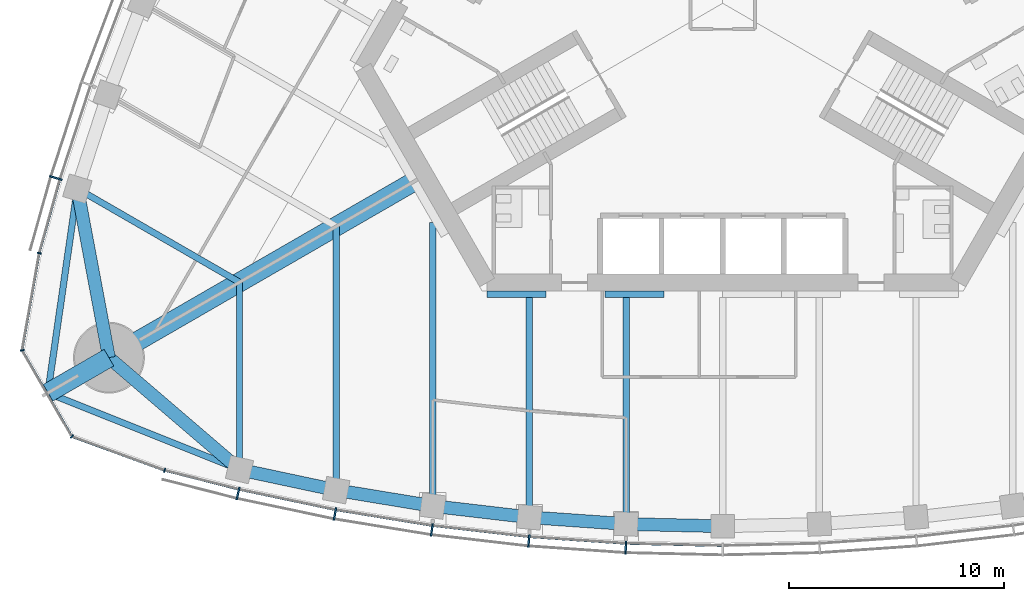
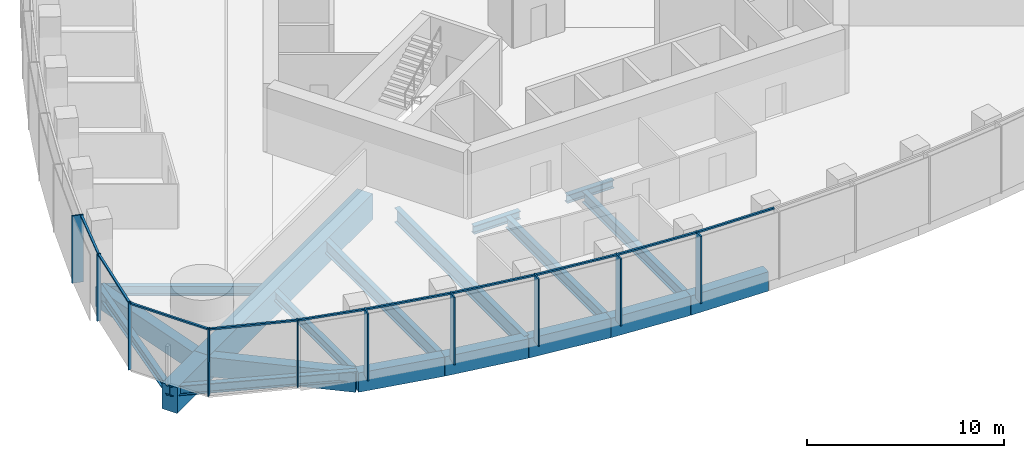
# One storey, part 2 of 19: 20 members, 19 beams, 3 elements without a shape of their own.
"""IFC4 building model written with IfcOpenShell, lengths in metres."""

from ifc_helpers import new_model, si_unit, direction, frame, origin, origin_2d, place, context, subcontext, project, spatial, rectangle, i_section, extrude, material, material_profile, profile_set, type_object, element, aggregate, save


model = new_model("IFC4")

# Units and contexts
model_context = context("Model", 3, precision=1e-05, world=origin(), true_north=direction((0.0, 1.0)))
body_context = subcontext(model_context, "Body", "Model", "MODEL_VIEW")
ifc_project = project(units=[si_unit("LENGTHUNIT", "METRE"), si_unit("AREAUNIT", "SQUARE_METRE"), si_unit("VOLUMEUNIT", "CUBIC_METRE"), si_unit("PLANEANGLEUNIT", "RADIAN"), si_unit("MASSUNIT", "GRAM", prefix="KILO")], contexts=[model_context])

# Site, building, storey
site_placement = place(None, origin())
site = spatial("IfcSite", under=ifc_project, at=site_placement, CompositionType="ELEMENT")
building_placement = place(site_placement, origin())
building = spatial("IfcBuilding", under=site, at=building_placement, Name="Trefoil Bronze Tower", CompositionType="ELEMENT")
storey_placement = place(building_placement, frame((0.0, 0.0, 206.5)))
storey = spatial("IfcBuildingStorey", under=building, at=storey_placement, Name="L47", CompositionType="ELEMENT", Elevation=206.5)

# Curtain wall, members
ifc_material_1 = material(Name="Tinted solar-control glass", Category="glass")
curtain_wall_type_1 = type_object("IfcCurtainWallType", Name="Bronze office curtain wall", PredefinedType="USERDEFINED", material=ifc_material_1)
curtain_wall_1_placement = place(storey_placement, origin())
curtain_wall_1 = element("IfcCurtainWall", 1, at=curtain_wall_1_placement, inside=storey, type_object=curtain_wall_type_1, Name="CW-A L47 F1", ObjectType="CURTAIN WALL", PredefinedType="USERDEFINED")
ifc_material_2 = material(Name="Bronze-finish aluminium", Category="aluminium")
ifc_material_profile_1 = material_profile(ifc_material_2, rectangle(XDim=0.60009765625, YDim=0.080078125, at=origin_2d()), Name="CW-A mullion")
ifc_profile_set_1 = profile_set([ifc_material_profile_1], Name="Bronze-finish aluminium")
member_type_1 = type_object("IfcMemberType", Name="Bronze office curtain wall mullion", PredefinedType="MULLION", material=ifc_profile_set_1)
member_1_placement = place(storey_placement, frame((-22.568115234375, -22.82421875, 0.0), z_axis=(0.0, 0.0, 1.0), x_axis=(0.227082662569, 0.973875487093, 0.0)))
member_1 = element("IfcMember", 2, at=member_1_placement, type_object=member_type_1, Name="CW-A L47 F1 mullion 2", PredefinedType="MULLION", context=body_context, shape_type="SweptSolid", body=[
    extrude(rectangle(XDim=0.60009765625, YDim=0.080078125, at=origin_2d()), origin(), (0.0, 0.0, 1.0), 4.179931640625),
])
member_2_placement = place(storey_placement, frame((-18.05517578125, -23.77783203125, 0.0), z_axis=(0.0, 0.0, 1.0), x_axis=(0.183825368167, 0.982958917767, 0.0)))
member_2 = element("IfcMember", 3, at=member_2_placement, type_object=member_type_1, Name="CW-A L47 F1 mullion 3", PredefinedType="MULLION", context=body_context, shape_type="SweptSolid", body=[
    extrude(rectangle(XDim=0.60009765625, YDim=0.080078125, at=origin_2d()), origin(), (0.0, 0.0, 1.0), 4.179931640625),
])
member_3_placement = place(storey_placement, frame((-13.541259765625, -24.51318359375, 0.0), z_axis=(0.0, 0.0, 1.0), x_axis=(0.137867887204, 0.990450627582, 0.0)))
member_3 = element("IfcMember", 4, at=member_3_placement, type_object=member_type_1, Name="CW-A L47 F1 mullion 4", PredefinedType="MULLION", context=body_context, shape_type="SweptSolid", body=[
    extrude(rectangle(XDim=0.60009765625, YDim=0.080078125, at=origin_2d()), origin(), (0.0, 0.0, 1.0), 4.179931640625),
])
member_4_placement = place(storey_placement, frame((-9.027587890625, -25.03515625, 0.0), z_axis=(0.0, 0.0, 1.0), x_axis=(0.091911396394, 0.995767189263, 0.0)))
member_4 = element("IfcMember", 5, at=member_4_placement, type_object=member_type_1, Name="CW-A L47 F1 mullion 5", PredefinedType="MULLION", context=body_context, shape_type="SweptSolid", body=[
    extrude(rectangle(XDim=0.60009765625, YDim=0.080078125, at=origin_2d()), origin(), (0.0, 0.0, 1.0), 4.179931640625),
])
member_5_placement = place(storey_placement, frame((-4.513671875, -25.346923828125, 0.0), z_axis=(0.0, 0.0, 1.0), x_axis=(0.045955542372, 0.998943485952, 0.0)))
member_5 = element("IfcMember", 6, at=member_5_placement, type_object=member_type_1, Name="CW-A L47 F1 mullion 6", PredefinedType="MULLION", context=body_context, shape_type="SweptSolid", body=[
    extrude(rectangle(XDim=0.60009765625, YDim=0.080078125, at=origin_2d()), origin(), (0.0, 0.0, 1.0), 4.179931640625),
])

# Curtain wall, member
curtain_wall_2_placement = place(storey_placement, origin())
curtain_wall_2 = element("IfcCurtainWall", 7, at=curtain_wall_2_placement, inside=storey, type_object=curtain_wall_type_1, Name="CW-A L47 F3", ObjectType="CURTAIN WALL", PredefinedType="USERDEFINED")
member_6_placement = place(storey_placement, frame((-31.05029296875, -8.132568359375, 0.0), z_axis=(0.0, 0.0, 1.0), x_axis=(0.95694224323, -0.290278389002, 0.0)))
member_6 = element("IfcMember", 8, at=member_6_placement, type_object=member_type_1, Name="CW-A L47 F3 mullion 12", PredefinedType="MULLION", context=body_context, shape_type="SweptSolid", body=[
    extrude(rectangle(XDim=0.60009765625, YDim=0.080078125, at=origin_2d()), origin(), (0.0, 0.0, 1.0), 4.179931640625),
])

# Member
ifc_material_3 = material(Name="Bronze-finish aluminium", Category="aluminium")
ifc_material_profile_2 = material_profile(ifc_material_3, rectangle(XDim=0.1201171875, YDim=0.10009765625, at=origin_2d()), Name="CW-A transom")
ifc_profile_set_2 = profile_set([ifc_material_profile_2], Name="Bronze-finish aluminium")
member_type_2 = type_object("IfcMemberType", Name="Bronze office curtain wall transom", PredefinedType="USERDEFINED", material=ifc_profile_set_2)
member_7_placement = place(storey_placement, frame((-25.93896484375, -21.75732421875, 4.1298828125), z_axis=(0.968935220916, -0.247314653162, 0.0), x_axis=(0.247314653162, 0.968935220916, 0.0)))
member_7 = element("IfcMember", 9, at=member_7_placement, type_object=member_type_2, Name="CW-A L47 F1 transom 1", ObjectType="TRANSOM", PredefinedType="USERDEFINED", context=body_context, shape_type="SweptSolid", body=[
    extrude(rectangle(XDim=0.1201171875, YDim=0.10009765625, at=origin_2d()), origin(), (0.0, 0.0, 1.0), 3.483642578125),
])

member_8_placement = place(storey_placement, frame((-22.4814453125, -22.63818359375, 4.1298828125), z_axis=(0.978395325657, -0.20674280334, 0.0), x_axis=(0.20674280334, 0.978395325657, 0.0)))
member_8 = element("IfcMember", 10, at=member_8_placement, type_object=member_type_2, Name="CW-A L47 F1 transom 2", ObjectType="TRANSOM", PredefinedType="USERDEFINED", context=body_context, shape_type="SweptSolid", body=[
    extrude(rectangle(XDim=0.1201171875, YDim=0.10009765625, at=origin_2d()), origin(), (0.0, 0.0, 1.0), 4.519287109375),
])

member_9_placement = place(storey_placement, frame((-17.9765625, -23.588134765625, 4.1298828125), z_axis=(0.986988367046, -0.160791676761, 0.0), x_axis=(0.160791676761, 0.986988367046, 0.0)))
member_9 = element("IfcMember", 11, at=member_9_placement, type_object=member_type_2, Name="CW-A L47 F1 transom 3", ObjectType="TRANSOM", PredefinedType="USERDEFINED", context=body_context, shape_type="SweptSolid", body=[
    extrude(rectangle(XDim=0.1201171875, YDim=0.10009765625, at=origin_2d()), origin(), (0.0, 0.0, 1.0), 4.479248046875),
])

member_10_placement = place(storey_placement, frame((-13.4716796875, -24.320068359375, 4.1298828125), z_axis=(0.993384885596, -0.114832352013, 0.0), x_axis=(0.114832352013, 0.993384885596, 0.0)))
member_10 = element("IfcMember", 12, at=member_10_placement, type_object=member_type_2, Name="CW-A L47 F1 transom 4", ObjectType="TRANSOM", PredefinedType="USERDEFINED", context=body_context, shape_type="SweptSolid", body=[
    extrude(rectangle(XDim=0.1201171875, YDim=0.10009765625, at=origin_2d()), origin(), (0.0, 0.0, 1.0), 4.449951171875),
])

member_11_placement = place(storey_placement, frame((-8.967041015625, -24.8388671875, 4.1298828125), z_axis=(0.997621320987, -0.06893257512, 0.0), x_axis=(0.06893257512, 0.997621320987, 0.0)))
member_11 = element("IfcMember", 13, at=member_11_placement, type_object=member_type_2, Name="CW-A L47 F1 transom 5", ObjectType="TRANSOM", PredefinedType="USERDEFINED", context=body_context, shape_type="SweptSolid", body=[
    extrude(rectangle(XDim=0.1201171875, YDim=0.10009765625, at=origin_2d()), origin(), (0.0, 0.0, 1.0), 4.4306640625),
])

member_12_placement = place(storey_placement, frame((-4.46240234375, -25.148193359375, 4.1298828125), z_axis=(0.999736131416, -0.022971015226, 0.0), x_axis=(0.022971015226, 0.999736131416, 0.0)))
member_12 = element("IfcMember", 14, at=member_12_placement, type_object=member_type_2, Name="CW-A L47 F1 transom 6", ObjectType="TRANSOM", PredefinedType="USERDEFINED", context=body_context, shape_type="SweptSolid", body=[
    extrude(rectangle(XDim=0.1201171875, YDim=0.10009765625, at=origin_2d()), origin(), (0.0, 0.0, 1.0), 4.42138671875),
])

aggregate(curtain_wall_1, [member_1, member_2, member_3, member_4, member_5, member_7, member_8, member_9, member_10, member_11, member_12])

member_13_placement = place(storey_placement, frame((-30.870361328125, -8.23095703125, 4.1298828125), z_axis=(-0.270284880437, -0.962780392097, 0.0), x_axis=(0.962780392097, -0.270284880437, 0.0)))
member_13 = element("IfcMember", 15, at=member_13_placement, type_object=member_type_2, Name="CW-A L47 F3 transom 12", ObjectType="TRANSOM", PredefinedType="USERDEFINED", context=body_context, shape_type="SweptSolid", body=[
    extrude(rectangle(XDim=0.1201171875, YDim=0.10009765625, at=origin_2d()), origin(), (0.0, 0.0, 1.0), 3.48388671875),
])

aggregate(curtain_wall_2, [member_6, member_13])

# Curtain wall, members
ifc_material_4 = material(Name="Tinted solar-control glass", Category="glass")
curtain_wall_type_2 = type_object("IfcCurtainWallType", Name="Bronze rounded corner curtain wall", PredefinedType="USERDEFINED", material=ifc_material_4)
curtain_wall_3_placement = place(storey_placement, origin())
curtain_wall_3 = element("IfcCurtainWall", 16, at=curtain_wall_3_placement, inside=storey, type_object=curtain_wall_type_2, Name="CW-B L47 K3", ObjectType="CURTAIN WALL", PredefinedType="USERDEFINED")
ifc_material_5 = material(Name="Bronze-finish aluminium", Category="aluminium")
ifc_material_profile_3 = material_profile(ifc_material_5, rectangle(XDim=0.199951171875, YDim=0.06005859375, at=origin_2d()), Name="CW-B mullion")
ifc_profile_set_3 = profile_set([ifc_material_profile_3], Name="Bronze-finish aluminium")
member_type_3 = type_object("IfcMemberType", Name="Bronze rounded corner curtain wall mullion", PredefinedType="MULLION", material=ifc_profile_set_3)
member_14_placement = place(storey_placement, frame((-31.824951171875, -11.63330078125, 0.0), z_axis=(0.0, 0.0, 1.0), x_axis=(0.984807753012, -0.173648177667, 0.0)))
member_14 = element("IfcMember", 17, at=member_14_placement, type_object=member_type_3, Name="CW-B L47 K3 mullion 1", PredefinedType="MULLION", context=body_context, shape_type="SweptSolid", body=[
    extrude(rectangle(XDim=0.199951171875, YDim=0.06005859375, at=origin_2d()), origin(), (0.0, 0.0, 1.0), 4.179931640625),
])
member_15_placement = place(storey_placement, frame((-32.616943359375, -16.158935546875, 0.0), z_axis=(0.0, 0.0, 1.0), x_axis=(0.984807753012, 0.173648177667, 0.0)))
member_15 = element("IfcMember", 18, at=member_15_placement, type_object=member_type_3, Name="CW-B L47 K3 mullion 2", PredefinedType="MULLION", context=body_context, shape_type="SweptSolid", body=[
    extrude(rectangle(XDim=0.199951171875, YDim=0.06005859375, at=origin_2d()), origin(), (0.0, 0.0, 1.0), 4.179931640625),
])
member_16_placement = place(storey_placement, frame((-30.302490234375, -20.16748046875, 0.0), z_axis=(0.0, 0.0, 1.0), x_axis=(0.642787609687, 0.766044443119, 0.0)))
member_16 = element("IfcMember", 19, at=member_16_placement, type_object=member_type_3, Name="CW-B L47 K3 mullion 3", PredefinedType="MULLION", context=body_context, shape_type="SweptSolid", body=[
    extrude(rectangle(XDim=0.199951171875, YDim=0.06005859375, at=origin_2d()), origin(), (0.0, 0.0, 1.0), 4.179931640625),
])
member_17_placement = place(storey_placement, frame((-25.9873046875, -21.74462890625, 0.0), z_axis=(0.0, 0.0, 1.0), x_axis=(0.342020143326, 0.939692620786, 0.0)))
member_17 = element("IfcMember", 20, at=member_17_placement, type_object=member_type_3, Name="CW-B L47 K3 mullion 4", PredefinedType="MULLION", context=body_context, shape_type="SweptSolid", body=[
    extrude(rectangle(XDim=0.199951171875, YDim=0.06005859375, at=origin_2d()), origin(), (0.0, 0.0, 1.0), 4.179931640625),
])
ifc_material_6 = material(Name="Bronze-finish aluminium", Category="aluminium")
ifc_material_profile_4 = material_profile(ifc_material_6, rectangle(XDim=0.1201171875, YDim=0.10009765625, at=origin_2d()), Name="CW-B transom")
ifc_profile_set_4 = profile_set([ifc_material_profile_4], Name="Bronze-finish aluminium")
member_type_4 = type_object("IfcMemberType", Name="Bronze rounded corner curtain wall transom", PredefinedType="USERDEFINED", material=ifc_profile_set_4)
member_18_placement = place(storey_placement, frame((-31.830078125, -11.662841796875, 4.1298828125), z_axis=(-0.173655350028, -0.984806488304, 0.0), x_axis=(0.984806488304, -0.173655350028, 0.0)))
member_18 = element("IfcMember", 21, at=member_18_placement, type_object=member_type_4, Name="CW-B L47 K3 transom 1", ObjectType="TRANSOM", PredefinedType="USERDEFINED", context=body_context, shape_type="SweptSolid", body=[
    extrude(rectangle(XDim=0.1201171875, YDim=0.10009765625, at=origin_2d()), origin(), (0.0, 0.0, 1.0), 4.500244140625),
])
member_19_placement = place(storey_placement, frame((-32.590087890625, -16.217529296875, 4.1298828125), z_axis=(0.500007335828, -0.866021168401, 0.0), x_axis=(0.866021168401, 0.500007335828, 0.0)))
member_19 = element("IfcMember", 22, at=member_19_placement, type_object=member_type_4, Name="CW-B L47 K3 transom 2", ObjectType="TRANSOM", PredefinedType="USERDEFINED", context=body_context, shape_type="SweptSolid", body=[
    extrude(rectangle(XDim=0.1201171875, YDim=0.10009765625, at=origin_2d()), origin(), (0.0, 0.0, 1.0), 4.50048828125),
])
member_20_placement = place(storey_placement, frame((-30.244140625, -20.195068359375, 4.1298828125), z_axis=(0.939680910753, -0.342052314664, 0.0), x_axis=(0.342052314664, 0.939680910753, 0.0)))
member_20 = element("IfcMember", 23, at=member_20_placement, type_object=member_type_4, Name="CW-B L47 K3 transom 3", ObjectType="TRANSOM", PredefinedType="USERDEFINED", context=body_context, shape_type="SweptSolid", body=[
    extrude(rectangle(XDim=0.1201171875, YDim=0.10009765625, at=origin_2d()), origin(), (0.0, 0.0, 1.0), 4.500244140625),
])
aggregate(curtain_wall_3, [member_14, member_15, member_16, member_17, member_18, member_19, member_20])

# Beams
ifc_material_7 = material(Name="Steel C355", Category="steel")
ifc_material_profile_5 = material_profile(ifc_material_7, i_section(OverallWidth=0.300048828125, OverallDepth=0.5, WebThickness=0.014404296875, FlangeThickness=0.028076171875, FilletRadius=0.027099609375, at=origin_2d()), Name="HEB 500")
ifc_profile_set_5 = profile_set([ifc_material_profile_5], Name="Steel C355")
beam_type_1 = type_object("IfcBeamType", Name="Core seat beam HEB 500", PredefinedType="BEAM", material=ifc_profile_set_5)
for number, where, z_axis, x_axis, name in (
    (24, (-10.9697265625, -13.550048828125, -0.449951171875), (1.0, 0.0, 0.0), (0.0, 1.0, 0.0), "Core seat beam F1/-2 L47"),
    (25, (-5.48486328125, -13.550048828125, -0.449951171875), (1.0, 0.0, 0.0), (0.0, 1.0, 0.0), "Core seat beam F1/-1 L47"),
):
    element("IfcBeam", number, at=place(storey_placement, frame(where, z_axis=z_axis, x_axis=x_axis)), inside=storey, type_object=beam_type_1, Name=name, PredefinedType="BEAM", context=body_context, shape_type="SweptSolid", body=[
        extrude(i_section(OverallWidth=0.300048828125, OverallDepth=0.5, WebThickness=0.014404296875, FlangeThickness=0.028076171875, FilletRadius=0.027099609375, at=origin_2d()), origin(), (0.0, 0.0, 1.0), 2.742431640625),
    ])
ifc_material_8 = material(Name="Concrete B80", Category="concrete")
ifc_material_profile_6 = material_profile(ifc_material_8, rectangle(XDim=0.89990234375, YDim=1.60009765625, at=origin_2d()), Name="RC 900x1600")
ifc_profile_set_6 = profile_set([ifc_material_profile_6], Name="Concrete B80")
beam_type_2 = type_object("IfcBeamType", Name="Corner cantilever RC 900x1600", PredefinedType="BEAM", material=ifc_profile_set_6)
beam_1_placement = place(storey_placement, frame((-28.578857421875, -16.5, -1.0), z_axis=(-0.866016004958, -0.500016278891, 0.0), x_axis=(0.500016278891, -0.866016004958, 0.0)))
element("IfcBeam", 26, at=beam_1_placement, inside=storey, type_object=beam_type_2, Name="Corner cantilever K3 L47", PredefinedType="BEAM", context=body_context, shape_type="SweptSolid", body=[
    extrude(rectangle(XDim=0.89990234375, YDim=1.60009765625, at=origin_2d()), origin(), (0.0, 0.0, 1.0), 3.28466796875),
])
ifc_material_9 = material(Name="Steel C355", Category="steel")
ifc_material_profile_7 = material_profile(ifc_material_9, i_section(OverallWidth=0.300048828125, OverallDepth=0.60009765625, WebThickness=0.015380859375, FlangeThickness=0.030029296875, FilletRadius=0.027099609375, at=origin_2d()), Name="HEB 600")
ifc_profile_set_7 = profile_set([ifc_material_profile_7], Name="Steel C355")
beam_type_3 = type_object("IfcBeamType", Name="Corner edge beam HEB 600", PredefinedType="BEAM", material=ifc_profile_set_7)
for number, where, z_axis, x_axis, name in (
    (27, (-22.5, -21.71044921875, -0.5), (-0.92852048463, 0.371281173266, 0.0), (-0.371281173266, -0.92852048463, 0.0), "Corner edge beam F1B L47"),
    (28, (-30.052001953125, -8.63037109375, -0.5), (-0.142694489722, -0.989766781925, 0.0), (0.989766781925, -0.142694489722, 0.0), "Corner edge beam F3A L47"),
):
    element("IfcBeam", number, at=place(storey_placement, frame(where, z_axis=z_axis, x_axis=x_axis)), inside=storey, type_object=beam_type_3, Name=name, PredefinedType="BEAM", context=body_context, shape_type="SweptSolid", body=[
        extrude(i_section(OverallWidth=0.300048828125, OverallDepth=0.60009765625, WebThickness=0.015380859375, FlangeThickness=0.030029296875, FilletRadius=0.027099609375, at=origin_2d()), origin(), (0.0, 0.0, 1.0), 9.6103515625),
    ])
ifc_material_10 = material(Name="Concrete B80", Category="concrete")
ifc_material_profile_8 = material_profile(ifc_material_10, rectangle(XDim=0.89990234375, YDim=1.60009765625, at=origin_2d()), Name="RC 900x1600")
ifc_profile_set_8 = profile_set([ifc_material_profile_8], Name="Concrete B80")
beam_type_4 = type_object("IfcBeamType", Name="Corner girder RC 900x1600", PredefinedType="BEAM", material=ifc_profile_set_8)
beam_2_placement = place(storey_placement, frame((-14.202880859375, -8.199951171875, -1.0), z_axis=(-0.866023450265, -0.500003383579, 0.0), x_axis=(0.500003383579, -0.866023450265, 0.0)))
element("IfcBeam", 29, at=beam_2_placement, inside=storey, type_object=beam_type_4, Name="Corner girder K3 L47", PredefinedType="BEAM", context=body_context, shape_type="SweptSolid", body=[
    extrude(rectangle(XDim=0.89990234375, YDim=1.60009765625, at=origin_2d()), origin(), (0.0, 0.0, 1.0), 16.60009765625),
])
ifc_material_11 = material(Name="Concrete B80", Category="concrete")
ifc_material_profile_9 = material_profile(ifc_material_11, rectangle(XDim=0.60009765625, YDim=1.199951171875, at=origin_2d()), Name="RC 600x1200")
ifc_profile_set_9 = profile_set([ifc_material_profile_9], Name="Concrete B80")
beam_type_5 = type_object("IfcBeamType", Name="End spandrel beam RC 600x1200", PredefinedType="SPANDREL", material=ifc_profile_set_9)
for number, where, z_axis, x_axis, name in (
    (30, (-28.578857421875, -16.5, -0.800048828125), (0.759256602365, -0.650791373456, 0.0), (0.650791373456, 0.759256602365, 0.0), "Spandrel F1.1 L47"),
    (31, (-30.052001953125, -8.63037109375, -0.800048828125), (0.18399763073, -0.982926686933, 0.0), (0.982926686933, 0.18399763073, 0.0), "Spandrel F3.12 L47"),
):
    element("IfcBeam", number, at=place(storey_placement, frame(where, z_axis=z_axis, x_axis=x_axis)), inside=storey, type_object=beam_type_5, Name=name, PredefinedType="SPANDREL", context=body_context, shape_type="SweptSolid", body=[
        extrude(rectangle(XDim=0.60009765625, YDim=1.199951171875, at=origin_2d()), origin(), (0.0, 0.0, 1.0), 8.00634765625),
    ])
ifc_material_12 = material(Name="Steel C355", Category="steel")
ifc_material_profile_10 = material_profile(ifc_material_12, i_section(OverallWidth=0.300048828125, OverallDepth=0.590087890625, WebThickness=0.012939453125, FlangeThickness=0.02490234375, FilletRadius=0.027099609375, at=origin_2d()), Name="HEA 600")
ifc_profile_set_10 = profile_set([ifc_material_profile_10], Name="Steel C355")
beam_type_6 = type_object("IfcBeamType", Name="Floor beam HEA 600", PredefinedType="BEAM", material=ifc_profile_set_10)
beam_3_placement = place(storey_placement, frame((-22.5, -21.71044921875, -0.4951171875), z_axis=(0.0, 1.0, 0.0), x_axis=(-1.0, 0.0, 0.0)))
element("IfcBeam", 32, at=beam_3_placement, inside=storey, type_object=beam_type_6, Name="Floor beam F1/-5 L47", PredefinedType="BEAM", context=body_context, shape_type="SweptSolid", body=[
    extrude(i_section(OverallWidth=0.300048828125, OverallDepth=0.590087890625, WebThickness=0.012939453125, FlangeThickness=0.02490234375, FilletRadius=0.027099609375, at=origin_2d()), origin(), (0.0, 0.0, 1.0), 8.719970703125),
])
beam_4_placement = place(storey_placement, frame((-30.052001953125, -8.63037109375, -0.4951171875), z_axis=(0.866027535932, -0.499996306993, 0.0), x_axis=(0.499996306993, 0.866027535932, 0.0)))
element("IfcBeam", 33, at=beam_4_placement, inside=storey, type_object=beam_type_6, Name="Floor beam F3/+5 L47", PredefinedType="BEAM", context=body_context, shape_type="SweptSolid", body=[
    extrude(i_section(OverallWidth=0.300048828125, OverallDepth=0.590087890625, WebThickness=0.012939453125, FlangeThickness=0.02490234375, FilletRadius=0.027099609375, at=origin_2d()), origin(), (0.0, 0.0, 1.0), 8.72021484375),
])
ifc_material_13 = material(Name="Steel C355", Category="steel")
ifc_material_profile_11 = material_profile(ifc_material_13, i_section(OverallWidth=0.300048828125, OverallDepth=0.699951171875, WebThickness=0.01708984375, FlangeThickness=0.031982421875, FilletRadius=0.027099609375, at=origin_2d()), Name="HEB 700")
ifc_profile_set_11 = profile_set([ifc_material_profile_11], Name="Steel C355")
beam_type_7 = type_object("IfcBeamType", Name="Floor beam HEB 700", PredefinedType="BEAM", material=ifc_profile_set_11)
beam_5_placement = place(storey_placement, frame((-9.0, -23.932861328125, -0.550048828125), z_axis=(0.0, 1.0, 0.0), x_axis=(-1.0, 0.0, 0.0)))
element("IfcBeam", 34, at=beam_5_placement, inside=storey, type_object=beam_type_7, Name="Floor beam F1/-2 L47", PredefinedType="BEAM", context=body_context, shape_type="SweptSolid", body=[
    extrude(i_section(OverallWidth=0.300048828125, OverallDepth=0.699951171875, WebThickness=0.01708984375, FlangeThickness=0.031982421875, FilletRadius=0.027099609375, at=origin_2d()), origin(), (0.0, 0.0, 1.0), 10.23291015625),
])
beam_6_placement = place(storey_placement, frame((-4.5, -24.246337890625, -0.550048828125), z_axis=(0.0, 1.0, 0.0), x_axis=(-1.0, 0.0, 0.0)))
element("IfcBeam", 35, at=beam_6_placement, inside=storey, type_object=beam_type_7, Name="Floor beam F1/-1 L47", PredefinedType="BEAM", context=body_context, shape_type="SweptSolid", body=[
    extrude(i_section(OverallWidth=0.300048828125, OverallDepth=0.699951171875, WebThickness=0.01708984375, FlangeThickness=0.031982421875, FilletRadius=0.027099609375, at=origin_2d()), origin(), (0.0, 0.0, 1.0), 10.54638671875),
])
ifc_material_14 = material(Name="Steel C355", Category="steel")
ifc_material_profile_12 = material_profile(ifc_material_14, i_section(OverallWidth=0.300048828125, OverallDepth=0.800048828125, WebThickness=0.017578125, FlangeThickness=0.032958984375, FilletRadius=0.030029296875, at=origin_2d()), Name="HEB 800")
ifc_profile_set_12 = profile_set([ifc_material_profile_12], Name="Steel C355")
beam_type_8 = type_object("IfcBeamType", Name="Floor beam HEB 800", PredefinedType="BEAM", material=ifc_profile_set_12)
beam_7_placement = place(storey_placement, frame((-18.0, -22.6689453125, -0.60009765625), z_axis=(0.0, 1.0, 0.0), x_axis=(-1.0, 0.0, 0.0)))
element("IfcBeam", 36, at=beam_7_placement, inside=storey, type_object=beam_type_8, Name="Floor beam F1/-4 L47", PredefinedType="BEAM", context=body_context, shape_type="SweptSolid", body=[
    extrude(i_section(OverallWidth=0.300048828125, OverallDepth=0.800048828125, WebThickness=0.017578125, FlangeThickness=0.032958984375, FilletRadius=0.030029296875, at=origin_2d()), origin(), (0.0, 0.0, 1.0), 12.276611328125),
])
ifc_material_15 = material(Name="Steel C355", Category="steel")
ifc_material_profile_13 = material_profile(ifc_material_15, i_section(OverallWidth=0.300048828125, OverallDepth=0.89990234375, WebThickness=0.0185546875, FlangeThickness=0.034912109375, FilletRadius=0.030029296875, at=origin_2d()), Name="HEB 900")
ifc_profile_set_13 = profile_set([ifc_material_profile_13], Name="Steel C355")
beam_type_9 = type_object("IfcBeamType", Name="Floor beam HEB 900", PredefinedType="BEAM", material=ifc_profile_set_13)
beam_8_placement = place(storey_placement, frame((-13.5, -23.408447265625, -0.64990234375), z_axis=(0.0, 1.0, 0.0), x_axis=(-1.0, 0.0, 0.0)))
element("IfcBeam", 37, at=beam_8_placement, inside=storey, type_object=beam_type_9, Name="Floor beam F1/-3 L47", PredefinedType="BEAM", context=body_context, shape_type="SweptSolid", body=[
    extrude(i_section(OverallWidth=0.300048828125, OverallDepth=0.89990234375, WebThickness=0.0185546875, FlangeThickness=0.034912109375, FilletRadius=0.030029296875, at=origin_2d()), origin(), (0.0, 0.0, 1.0), 13.191162109375),
])
ifc_material_16 = material(Name="Concrete B80", Category="concrete")
ifc_material_profile_14 = material_profile(ifc_material_16, rectangle(XDim=0.60009765625, YDim=1.199951171875, at=origin_2d()), Name="RC 600x1200")
ifc_profile_set_14 = profile_set([ifc_material_profile_14], Name="Concrete B80")
beam_type_10 = type_object("IfcBeamType", Name="Spandrel beam RC 600x1200", PredefinedType="SPANDREL", material=ifc_profile_set_14)
beam_9_placement = place(storey_placement, frame((-22.5, -21.71044921875, -0.800048828125), z_axis=(0.978059483036, -0.208325820877, 0.0), x_axis=(0.208325820877, 0.978059483036, 0.0)))
element("IfcBeam", 38, at=beam_9_placement, inside=storey, type_object=beam_type_10, Name="Spandrel F1.2 L47", PredefinedType="SPANDREL", context=body_context, shape_type="SweptSolid", body=[
    extrude(rectangle(XDim=0.60009765625, YDim=1.199951171875, at=origin_2d()), origin(), (0.0, 0.0, 1.0), 4.600830078125),
])
beam_10_placement = place(storey_placement, frame((-18.0, -22.6689453125, -0.800048828125), z_axis=(0.986764681833, -0.162158757664, 0.0), x_axis=(0.162158757664, 0.986764681833, 0.0)))
element("IfcBeam", 39, at=beam_10_placement, inside=storey, type_object=beam_type_10, Name="Spandrel F1.3 L47", PredefinedType="SPANDREL", context=body_context, shape_type="SweptSolid", body=[
    extrude(rectangle(XDim=0.60009765625, YDim=1.199951171875, at=origin_2d()), origin(), (0.0, 0.0, 1.0), 4.560302734375),
])
beam_11_placement = place(storey_placement, frame((-13.5, -23.408447265625, -0.800048828125), z_axis=(0.993278017132, -0.115753102257, 0.0), x_axis=(0.115753102257, 0.993278017132, 0.0)))
element("IfcBeam", 40, at=beam_11_placement, inside=storey, type_object=beam_type_10, Name="Spandrel F1.4 L47", PredefinedType="SPANDREL", context=body_context, shape_type="SweptSolid", body=[
    extrude(rectangle(XDim=0.60009765625, YDim=1.199951171875, at=origin_2d()), origin(), (0.0, 0.0, 1.0), 4.530517578125),
])
beam_12_placement = place(storey_placement, frame((-9.0, -23.932861328125, -0.800048828125), z_axis=(0.997582435881, -0.069493047291, 0.0), x_axis=(0.069493047291, 0.997582435881, 0.0)))
element("IfcBeam", 41, at=beam_12_placement, inside=storey, type_object=beam_type_10, Name="Spandrel F1.5 L47", PredefinedType="SPANDREL", context=body_context, shape_type="SweptSolid", body=[
    extrude(rectangle(XDim=0.60009765625, YDim=1.199951171875, at=origin_2d()), origin(), (0.0, 0.0, 1.0), 4.510986328125),
])
beam_13_placement = place(storey_placement, frame((-4.5, -24.246337890625, -0.800048828125), z_axis=(0.999731770792, -0.023160018779, 0.0), x_axis=(0.023160018779, 0.999731770792, 0.0)))
element("IfcBeam", 42, at=beam_13_placement, inside=storey, type_object=beam_type_10, Name="Spandrel F1.6 L47", PredefinedType="SPANDREL", context=body_context, shape_type="SweptSolid", body=[
    extrude(rectangle(XDim=0.60009765625, YDim=1.199951171875, at=origin_2d()), origin(), (0.0, 0.0, 1.0), 4.501220703125),
])

save(model, "model.ifc")
